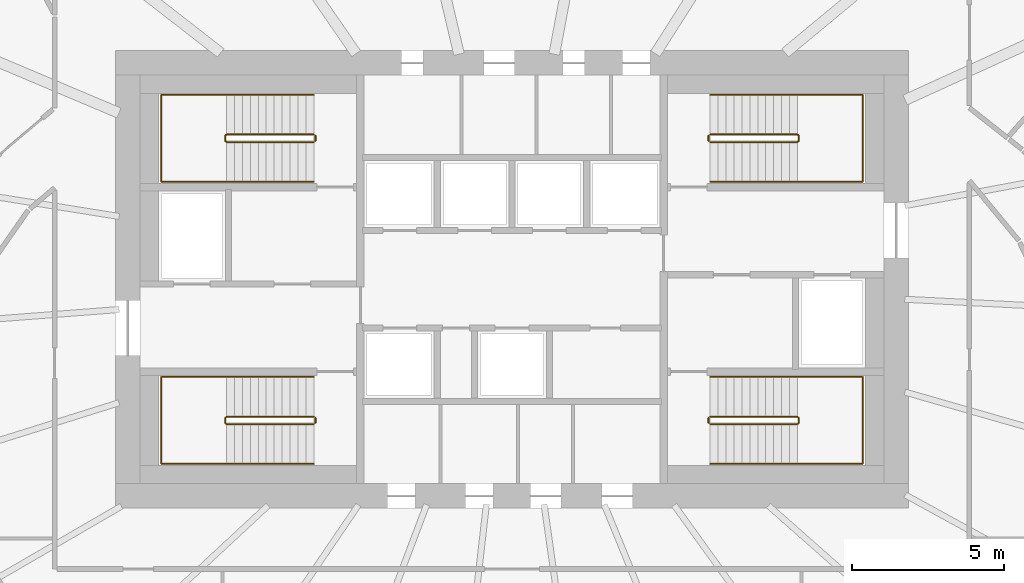
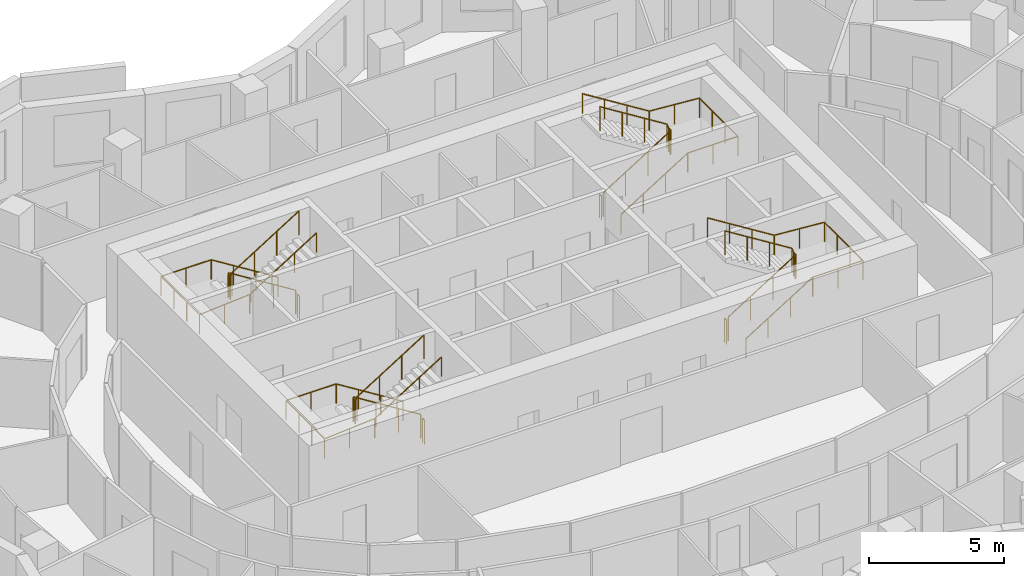
# One storey, part 11 of 11: 12 railings.
"""IFC4 building model written with IfcOpenShell, lengths in metres."""

from ifc_helpers import new_model, si_unit, direction, frame, origin, origin_2d, place, context, subcontext, project, spatial, circle, extrude, material, type_object, element, save


model = new_model("IFC4")

# Units and contexts
model_context = context("Model", 3, precision=1e-05, world=origin(), true_north=direction((0.0, 1.0)))
body_context = subcontext(model_context, "Body", "Model", "MODEL_VIEW")
ifc_project = project(units=[si_unit("LENGTHUNIT", "METRE"), si_unit("AREAUNIT", "SQUARE_METRE"), si_unit("VOLUMEUNIT", "CUBIC_METRE"), si_unit("PLANEANGLEUNIT", "RADIAN"), si_unit("MASSUNIT", "GRAM", prefix="KILO")], contexts=[model_context])

# Site, building, storey
site_placement = place(None, origin())
site = spatial("IfcSite", under=ifc_project, at=site_placement, CompositionType="ELEMENT")
building_placement = place(site_placement, origin())
building = spatial("IfcBuilding", under=site, at=building_placement, Name="Rubra Terraces Tower", CompositionType="ELEMENT")
storey_placement = place(building_placement, frame((0.0, 0.0, 181.800048828125)))
storey = spatial("IfcBuildingStorey", under=building, at=storey_placement, Name="L44", CompositionType="ELEMENT", Elevation=181.800048828125)

# Railings
ifc_material = material(Name="Stainless steel", Category="steel")
railing_type_1 = type_object("IfcRailingType", Name="Core stair guard 1100", PredefinedType="GUARDRAIL", material=ifc_material)
railing_1_placement = place(storey_placement, frame((-6.5, 0.0, 0.162353515625)))
element("IfcRailing", 1, at=railing_1_placement, inside=storey, type_object=railing_type_1, Name="L44 stair S1 guard 1", PredefinedType="GUARDRAIL", context=body_context, shape_type="SweptSolid", body=[
    extrude(circle(Radius=0.02392578125, at=origin_2d()), frame((0.0, 0.0, 1.076171875), z_axis=(-0.847994237388, 0.0, 0.530005446535), x_axis=(0.0, -1.0, 0.0)), (0.0, 0.0, 1.0), 3.372802734375),
    extrude(circle(Radius=0.02392578125, at=origin_2d()), frame((-2.860107421875, 0.0, 2.86376953125), z_axis=(-0.705375805398, -0.708833529934, 0.0), x_axis=(0.708833529934, -0.705375805398, 0.0)), (0.0, 0.0, 1.0), 0.070556640625),
    extrude(circle(Radius=0.02392578125, at=origin_2d()), frame((-2.909912109375, -0.050048828125, 2.86376953125), z_axis=(0.0, -1.0, 0.0), x_axis=(1.0, 0.0, 0.0)), (0.0, 0.0, 1.0), 0.14990234375),
    extrude(circle(Radius=0.02392578125, at=origin_2d()), frame((-2.909912109375, -0.199951171875, 2.86376953125), z_axis=(0.280959487676, -0.282336740067, 0.917250092119), x_axis=(0.708833529934, 0.705375805398, 0.0)), (0.0, 0.0, 1.0), 0.17724609375),
    extrude(circle(Radius=0.02392578125, at=origin_2d()), frame((-2.860107421875, -0.25, 3.0263671875), z_axis=(0.848026770018, 0.0, 0.529953391661), x_axis=(0.0, 1.0, 0.0)), (0.0, 0.0, 1.0), 3.37255859375),
    extrude(circle(Radius=0.02099609375, at=origin_2d()), origin(), (0.0, 0.0, 1.0), 1.052001953125),
    extrude(circle(Radius=0.02099609375, at=origin_2d()), frame((-0.953369140625, 0.0, 0.595947265625)), (0.0, 0.0, 1.0), 1.052001953125),
    extrude(circle(Radius=0.02099609375, at=origin_2d()), frame((-1.90673828125, 0.0, 1.191650390625)), (0.0, 0.0, 1.0), 1.052001953125),
    extrude(circle(Radius=0.02099609375, at=origin_2d()), frame((-2.860107421875, 0.0, 1.78759765625)), (0.0, 0.0, 1.0), 1.052001953125),
    extrude(circle(Radius=0.02099609375, at=origin_2d()), frame((-2.909912109375, -0.050048828125, 1.78759765625)), (0.0, 0.0, 1.0), 1.052001953125),
    extrude(circle(Radius=0.02099609375, at=origin_2d()), frame((-2.909912109375, -0.199951171875, 1.78759765625)), (0.0, 0.0, 1.0), 1.052001953125),
    extrude(circle(Radius=0.02099609375, at=origin_2d()), frame((-2.860107421875, -0.25, 1.9501953125)), (0.0, 0.0, 1.0), 1.052001953125),
    extrude(circle(Radius=0.02099609375, at=origin_2d()), frame((-1.90673828125, -0.25, 2.5458984375)), (0.0, 0.0, 1.0), 1.052001953125),
    extrude(circle(Radius=0.02099609375, at=origin_2d()), frame((-0.953369140625, -0.25, 3.141845703125)), (0.0, 0.0, 1.0), 1.052001953125),
    extrude(circle(Radius=0.02099609375, at=origin_2d()), frame((0.0, -0.25, 3.737548828125)), (0.0, 0.0, 1.0), 1.052001953125),
])
railing_2_placement = place(storey_placement, frame((-6.449951171875, -0.050048828125, 0.0)))
element("IfcRailing", 2, at=railing_2_placement, inside=storey, type_object=railing_type_1, Name="L44 stair S1 guard 2", PredefinedType="GUARDRAIL", context=body_context, shape_type="SweptSolid", body=[
    extrude(circle(Radius=0.02392578125, at=origin_2d()), frame((0.0, 0.0, 1.076171875), z_axis=(0.0, -1.0, 0.0), x_axis=(1.0, 0.0, 0.0)), (0.0, 0.0, 1.0), 0.14990234375),
    extrude(circle(Radius=0.02099609375, at=origin_2d()), origin(), (0.0, 0.0, 1.0), 1.052001953125),
    extrude(circle(Radius=0.02099609375, at=origin_2d()), frame((0.0, -0.14990234375, 0.0)), (0.0, 0.0, 1.0), 1.052001953125),
])
railing_3_placement = place(storey_placement, frame((-6.5, 9.25, 0.162353515625)))
element("IfcRailing", 3, at=railing_3_placement, inside=storey, type_object=railing_type_1, Name="L44 stair S2 guard 1", PredefinedType="GUARDRAIL", context=body_context, shape_type="SweptSolid", body=[
    extrude(circle(Radius=0.02392578125, at=origin_2d()), frame((0.0, 0.0, 1.076171875), z_axis=(-0.847994237388, 0.0, 0.530005446535), x_axis=(0.0, -1.0, 0.0)), (0.0, 0.0, 1.0), 3.372802734375),
    extrude(circle(Radius=0.02392578125, at=origin_2d()), frame((-2.860107421875, 0.0, 2.86376953125), z_axis=(-0.705375805398, -0.708833529934, 0.0), x_axis=(0.708833529934, -0.705375805398, 0.0)), (0.0, 0.0, 1.0), 0.070556640625),
    extrude(circle(Radius=0.02392578125, at=origin_2d()), frame((-2.909912109375, -0.050048828125, 2.86376953125), z_axis=(0.0, -1.0, 0.0), x_axis=(1.0, 0.0, 0.0)), (0.0, 0.0, 1.0), 0.14990234375),
    extrude(circle(Radius=0.02392578125, at=origin_2d()), frame((-2.909912109375, -0.199951171875, 2.86376953125), z_axis=(0.280959487676, -0.282336740067, 0.917250092119), x_axis=(0.708833529934, 0.705375805398, 0.0)), (0.0, 0.0, 1.0), 0.17724609375),
    extrude(circle(Radius=0.02392578125, at=origin_2d()), frame((-2.860107421875, -0.25, 3.0263671875), z_axis=(0.848026770018, 0.0, 0.529953391661), x_axis=(0.0, 1.0, 0.0)), (0.0, 0.0, 1.0), 3.37255859375),
    extrude(circle(Radius=0.02099609375, at=origin_2d()), origin(), (0.0, 0.0, 1.0), 1.052001953125),
    extrude(circle(Radius=0.02099609375, at=origin_2d()), frame((-0.953369140625, 0.0, 0.595947265625)), (0.0, 0.0, 1.0), 1.052001953125),
    extrude(circle(Radius=0.02099609375, at=origin_2d()), frame((-1.90673828125, 0.0, 1.191650390625)), (0.0, 0.0, 1.0), 1.052001953125),
    extrude(circle(Radius=0.02099609375, at=origin_2d()), frame((-2.860107421875, 0.0, 1.78759765625)), (0.0, 0.0, 1.0), 1.052001953125),
    extrude(circle(Radius=0.02099609375, at=origin_2d()), frame((-2.909912109375, -0.050048828125, 1.78759765625)), (0.0, 0.0, 1.0), 1.052001953125),
    extrude(circle(Radius=0.02099609375, at=origin_2d()), frame((-2.909912109375, -0.199951171875, 1.78759765625)), (0.0, 0.0, 1.0), 1.052001953125),
    extrude(circle(Radius=0.02099609375, at=origin_2d()), frame((-2.860107421875, -0.25, 1.9501953125)), (0.0, 0.0, 1.0), 1.052001953125),
    extrude(circle(Radius=0.02099609375, at=origin_2d()), frame((-1.90673828125, -0.25, 2.5458984375)), (0.0, 0.0, 1.0), 1.052001953125),
    extrude(circle(Radius=0.02099609375, at=origin_2d()), frame((-0.953369140625, -0.25, 3.141845703125)), (0.0, 0.0, 1.0), 1.052001953125),
    extrude(circle(Radius=0.02099609375, at=origin_2d()), frame((0.0, -0.25, 3.737548828125)), (0.0, 0.0, 1.0), 1.052001953125),
])
railing_4_placement = place(storey_placement, frame((-6.449951171875, 9.199951171875, 0.0)))
element("IfcRailing", 4, at=railing_4_placement, inside=storey, type_object=railing_type_1, Name="L44 stair S2 guard 2", PredefinedType="GUARDRAIL", context=body_context, shape_type="SweptSolid", body=[
    extrude(circle(Radius=0.02392578125, at=origin_2d()), frame((0.0, 0.0, 1.076171875), z_axis=(0.0, -1.0, 0.0), x_axis=(1.0, 0.0, 0.0)), (0.0, 0.0, 1.0), 0.14990234375),
    extrude(circle(Radius=0.02099609375, at=origin_2d()), origin(), (0.0, 0.0, 1.0), 1.052001953125),
    extrude(circle(Radius=0.02099609375, at=origin_2d()), frame((0.0, -0.14990234375, 0.0)), (0.0, 0.0, 1.0), 1.052001953125),
])
railing_5_placement = place(storey_placement, frame((6.5, 9.0, 0.162353515625)))
element("IfcRailing", 5, at=railing_5_placement, inside=storey, type_object=railing_type_1, Name="L44 stair S3 guard 1", PredefinedType="GUARDRAIL", context=body_context, shape_type="SweptSolid", body=[
    extrude(circle(Radius=0.02392578125, at=origin_2d()), frame((0.0, 0.0, 1.076171875), z_axis=(0.847994237388, 0.0, 0.530005446535), x_axis=(0.0, 1.0, 0.0)), (0.0, 0.0, 1.0), 3.372802734375),
    extrude(circle(Radius=0.02392578125, at=origin_2d()), frame((2.860107421875, 0.0, 2.86376953125), z_axis=(0.705375805398, 0.708833529934, 0.0), x_axis=(-0.708833529934, 0.705375805398, 0.0)), (0.0, 0.0, 1.0), 0.070556640625),
    extrude(circle(Radius=0.02392578125, at=origin_2d()), frame((2.909912109375, 0.050048828125, 2.86376953125), z_axis=(0.0, 1.0, 0.0), x_axis=(-1.0, 0.0, 0.0)), (0.0, 0.0, 1.0), 0.14990234375),
    extrude(circle(Radius=0.02392578125, at=origin_2d()), frame((2.909912109375, 0.199951171875, 2.86376953125), z_axis=(-0.280959487676, 0.282336740067, 0.917250092119), x_axis=(-0.708833529934, -0.705375805398, 0.0)), (0.0, 0.0, 1.0), 0.17724609375),
    extrude(circle(Radius=0.02392578125, at=origin_2d()), frame((2.860107421875, 0.25, 3.0263671875), z_axis=(-0.848026770018, 0.0, 0.529953391661), x_axis=(0.0, -1.0, 0.0)), (0.0, 0.0, 1.0), 3.37255859375),
    extrude(circle(Radius=0.02099609375, at=origin_2d()), origin(), (0.0, 0.0, 1.0), 1.052001953125),
    extrude(circle(Radius=0.02099609375, at=origin_2d()), frame((0.953369140625, 0.0, 0.595947265625)), (0.0, 0.0, 1.0), 1.052001953125),
    extrude(circle(Radius=0.02099609375, at=origin_2d()), frame((1.90673828125, 0.0, 1.191650390625)), (0.0, 0.0, 1.0), 1.052001953125),
    extrude(circle(Radius=0.02099609375, at=origin_2d()), frame((2.860107421875, 0.0, 1.78759765625)), (0.0, 0.0, 1.0), 1.052001953125),
    extrude(circle(Radius=0.02099609375, at=origin_2d()), frame((2.909912109375, 0.050048828125, 1.78759765625)), (0.0, 0.0, 1.0), 1.052001953125),
    extrude(circle(Radius=0.02099609375, at=origin_2d()), frame((2.909912109375, 0.199951171875, 1.78759765625)), (0.0, 0.0, 1.0), 1.052001953125),
    extrude(circle(Radius=0.02099609375, at=origin_2d()), frame((2.860107421875, 0.25, 1.9501953125)), (0.0, 0.0, 1.0), 1.052001953125),
    extrude(circle(Radius=0.02099609375, at=origin_2d()), frame((1.90673828125, 0.25, 2.5458984375)), (0.0, 0.0, 1.0), 1.052001953125),
    extrude(circle(Radius=0.02099609375, at=origin_2d()), frame((0.953369140625, 0.25, 3.141845703125)), (0.0, 0.0, 1.0), 1.052001953125),
    extrude(circle(Radius=0.02099609375, at=origin_2d()), frame((0.0, 0.25, 3.737548828125)), (0.0, 0.0, 1.0), 1.052001953125),
])
railing_6_placement = place(storey_placement, frame((6.449951171875, 9.050048828125, 0.0)))
element("IfcRailing", 6, at=railing_6_placement, inside=storey, type_object=railing_type_1, Name="L44 stair S3 guard 2", PredefinedType="GUARDRAIL", context=body_context, shape_type="SweptSolid", body=[
    extrude(circle(Radius=0.02392578125, at=origin_2d()), frame((0.0, 0.0, 1.076171875), z_axis=(0.0, 1.0, 0.0), x_axis=(-1.0, 0.0, 0.0)), (0.0, 0.0, 1.0), 0.14990234375),
    extrude(circle(Radius=0.02099609375, at=origin_2d()), origin(), (0.0, 0.0, 1.0), 1.052001953125),
    extrude(circle(Radius=0.02099609375, at=origin_2d()), frame((0.0, 0.14990234375, 0.0)), (0.0, 0.0, 1.0), 1.052001953125),
])
railing_7_placement = place(storey_placement, frame((6.5, -0.25, 0.162353515625)))
element("IfcRailing", 7, at=railing_7_placement, inside=storey, type_object=railing_type_1, Name="L44 stair S4 guard 1", PredefinedType="GUARDRAIL", context=body_context, shape_type="SweptSolid", body=[
    extrude(circle(Radius=0.02392578125, at=origin_2d()), frame((0.0, 0.0, 1.076171875), z_axis=(0.847994237388, 0.0, 0.530005446535), x_axis=(0.0, 1.0, 0.0)), (0.0, 0.0, 1.0), 3.372802734375),
    extrude(circle(Radius=0.02392578125, at=origin_2d()), frame((2.860107421875, 0.0, 2.86376953125), z_axis=(0.705375805398, 0.708833529934, 0.0), x_axis=(-0.708833529934, 0.705375805398, 0.0)), (0.0, 0.0, 1.0), 0.070556640625),
    extrude(circle(Radius=0.02392578125, at=origin_2d()), frame((2.909912109375, 0.050048828125, 2.86376953125), z_axis=(0.0, 1.0, 0.0), x_axis=(-1.0, 0.0, 0.0)), (0.0, 0.0, 1.0), 0.14990234375),
    extrude(circle(Radius=0.02392578125, at=origin_2d()), frame((2.909912109375, 0.199951171875, 2.86376953125), z_axis=(-0.280959487676, 0.282336740067, 0.917250092119), x_axis=(-0.708833529934, -0.705375805398, 0.0)), (0.0, 0.0, 1.0), 0.17724609375),
    extrude(circle(Radius=0.02392578125, at=origin_2d()), frame((2.860107421875, 0.25, 3.0263671875), z_axis=(-0.848026770018, 0.0, 0.529953391661), x_axis=(0.0, -1.0, 0.0)), (0.0, 0.0, 1.0), 3.37255859375),
    extrude(circle(Radius=0.02099609375, at=origin_2d()), origin(), (0.0, 0.0, 1.0), 1.052001953125),
    extrude(circle(Radius=0.02099609375, at=origin_2d()), frame((0.953369140625, 0.0, 0.595947265625)), (0.0, 0.0, 1.0), 1.052001953125),
    extrude(circle(Radius=0.02099609375, at=origin_2d()), frame((1.90673828125, 0.0, 1.191650390625)), (0.0, 0.0, 1.0), 1.052001953125),
    extrude(circle(Radius=0.02099609375, at=origin_2d()), frame((2.860107421875, 0.0, 1.78759765625)), (0.0, 0.0, 1.0), 1.052001953125),
    extrude(circle(Radius=0.02099609375, at=origin_2d()), frame((2.909912109375, 0.050048828125, 1.78759765625)), (0.0, 0.0, 1.0), 1.052001953125),
    extrude(circle(Radius=0.02099609375, at=origin_2d()), frame((2.909912109375, 0.199951171875, 1.78759765625)), (0.0, 0.0, 1.0), 1.052001953125),
    extrude(circle(Radius=0.02099609375, at=origin_2d()), frame((2.860107421875, 0.25, 1.9501953125)), (0.0, 0.0, 1.0), 1.052001953125),
    extrude(circle(Radius=0.02099609375, at=origin_2d()), frame((1.90673828125, 0.25, 2.5458984375)), (0.0, 0.0, 1.0), 1.052001953125),
    extrude(circle(Radius=0.02099609375, at=origin_2d()), frame((0.953369140625, 0.25, 3.141845703125)), (0.0, 0.0, 1.0), 1.052001953125),
    extrude(circle(Radius=0.02099609375, at=origin_2d()), frame((0.0, 0.25, 3.737548828125)), (0.0, 0.0, 1.0), 1.052001953125),
])
railing_8_placement = place(storey_placement, frame((6.449951171875, -0.199951171875, 0.0)))
element("IfcRailing", 8, at=railing_8_placement, inside=storey, type_object=railing_type_1, Name="L44 stair S4 guard 2", PredefinedType="GUARDRAIL", context=body_context, shape_type="SweptSolid", body=[
    extrude(circle(Radius=0.02392578125, at=origin_2d()), frame((0.0, 0.0, 1.076171875), z_axis=(0.0, 1.0, 0.0), x_axis=(-1.0, 0.0, 0.0)), (0.0, 0.0, 1.0), 0.14990234375),
    extrude(circle(Radius=0.02099609375, at=origin_2d()), origin(), (0.0, 0.0, 1.0), 1.052001953125),
    extrude(circle(Radius=0.02099609375, at=origin_2d()), frame((0.0, 0.14990234375, 0.0)), (0.0, 0.0, 1.0), 1.052001953125),
])
railing_type_2 = type_object("IfcRailingType", Name="Core stair handrail 900", PredefinedType="HANDRAIL", material=ifc_material)
railing_9_placement = place(storey_placement, frame((-6.5, 1.300048828125, 0.162353515625)))
element("IfcRailing", 9, at=railing_9_placement, inside=storey, type_object=railing_type_2, Name="L44 stair S1 handrail 1", PredefinedType="HANDRAIL", context=body_context, shape_type="SweptSolid", body=[
    extrude(circle(Radius=0.02392578125, at=origin_2d()), frame((0.0, 0.0, 0.8759765625), z_axis=(-0.847994237388, 0.0, 0.530005446535), x_axis=(0.0, -1.0, 0.0)), (0.0, 0.0, 1.0), 3.372802734375),
    extrude(circle(Radius=0.02392578125, at=origin_2d()), frame((-2.860107421875, 0.0, 2.66357421875), z_axis=(-1.0, 0.0, 0.0), x_axis=(0.0, -1.0, 0.0)), (0.0, 0.0, 1.0), 2.139892578125),
    extrude(circle(Radius=0.02392578125, at=origin_2d()), frame((-5.0, 0.0, 2.66357421875), z_axis=(0.0, -1.0, 0.0), x_axis=(1.0, 0.0, 0.0)), (0.0, 0.0, 1.0), 2.85009765625),
    extrude(circle(Radius=0.02392578125, at=origin_2d()), frame((-5.0, -2.85009765625, 2.66357421875), z_axis=(0.997125654253, 0.0, 0.075765623016), x_axis=(0.0, 1.0, 0.0)), (0.0, 0.0, 1.0), 2.14599609375),
    extrude(circle(Radius=0.02392578125, at=origin_2d()), frame((-2.860107421875, -2.85009765625, 2.826171875), z_axis=(0.848026770018, 0.0, 0.529953391661), x_axis=(0.0, 1.0, 0.0)), (0.0, 0.0, 1.0), 3.37255859375),
    extrude(circle(Radius=0.02099609375, at=origin_2d()), origin(), (0.0, 0.0, 1.0), 0.851806640625),
    extrude(circle(Radius=0.02099609375, at=origin_2d()), frame((-0.953369140625, 0.0, 0.595947265625)), (0.0, 0.0, 1.0), 0.851806640625),
    extrude(circle(Radius=0.02099609375, at=origin_2d()), frame((-1.90673828125, 0.0, 1.191650390625)), (0.0, 0.0, 1.0), 0.851806640625),
    extrude(circle(Radius=0.02099609375, at=origin_2d()), frame((-2.860107421875, 0.0, 1.78759765625)), (0.0, 0.0, 1.0), 0.851806640625),
    extrude(circle(Radius=0.02099609375, at=origin_2d()), frame((-3.93017578125, 0.0, 1.78759765625)), (0.0, 0.0, 1.0), 0.851806640625),
    extrude(circle(Radius=0.02099609375, at=origin_2d()), frame((-5.0, 0.0, 1.78759765625)), (0.0, 0.0, 1.0), 0.851806640625),
    extrude(circle(Radius=0.02099609375, at=origin_2d()), frame((-5.0, -0.949951171875, 1.78759765625)), (0.0, 0.0, 1.0), 0.851806640625),
    extrude(circle(Radius=0.02099609375, at=origin_2d()), frame((-5.0, -1.900146484375, 1.78759765625)), (0.0, 0.0, 1.0), 0.851806640625),
    extrude(circle(Radius=0.02099609375, at=origin_2d()), frame((-5.0, -2.85009765625, 1.78759765625)), (0.0, 0.0, 1.0), 0.851806640625),
    extrude(circle(Radius=0.02099609375, at=origin_2d()), frame((-3.93017578125, -2.85009765625, 1.868896484375)), (0.0, 0.0, 1.0), 0.851806640625),
    extrude(circle(Radius=0.02099609375, at=origin_2d()), frame((-2.860107421875, -2.85009765625, 1.9501953125)), (0.0, 0.0, 1.0), 0.851806640625),
    extrude(circle(Radius=0.02099609375, at=origin_2d()), frame((-1.90673828125, -2.85009765625, 2.5458984375)), (0.0, 0.0, 1.0), 0.851806640625),
    extrude(circle(Radius=0.02099609375, at=origin_2d()), frame((-0.953369140625, -2.85009765625, 3.141845703125)), (0.0, 0.0, 1.0), 0.851806640625),
    extrude(circle(Radius=0.02099609375, at=origin_2d()), frame((0.0, -2.85009765625, 3.737548828125)), (0.0, 0.0, 1.0), 0.851806640625),
])
railing_10_placement = place(storey_placement, frame((-6.5, 10.550048828125, 0.162353515625)))
element("IfcRailing", 10, at=railing_10_placement, inside=storey, type_object=railing_type_2, Name="L44 stair S2 handrail 1", PredefinedType="HANDRAIL", context=body_context, shape_type="SweptSolid", body=[
    extrude(circle(Radius=0.02392578125, at=origin_2d()), frame((0.0, 0.0, 0.8759765625), z_axis=(-0.847994237388, 0.0, 0.530005446535), x_axis=(0.0, -1.0, 0.0)), (0.0, 0.0, 1.0), 3.372802734375),
    extrude(circle(Radius=0.02392578125, at=origin_2d()), frame((-2.860107421875, 0.0, 2.66357421875), z_axis=(-1.0, 0.0, 0.0), x_axis=(0.0, -1.0, 0.0)), (0.0, 0.0, 1.0), 2.139892578125),
    extrude(circle(Radius=0.02392578125, at=origin_2d()), frame((-5.0, 0.0, 2.66357421875), z_axis=(0.0, -1.0, 0.0), x_axis=(1.0, 0.0, 0.0)), (0.0, 0.0, 1.0), 2.85009765625),
    extrude(circle(Radius=0.02392578125, at=origin_2d()), frame((-5.0, -2.85009765625, 2.66357421875), z_axis=(0.997125654253, 0.0, 0.075765623016), x_axis=(0.0, 1.0, 0.0)), (0.0, 0.0, 1.0), 2.14599609375),
    extrude(circle(Radius=0.02392578125, at=origin_2d()), frame((-2.860107421875, -2.85009765625, 2.826171875), z_axis=(0.848026770018, 0.0, 0.529953391661), x_axis=(0.0, 1.0, 0.0)), (0.0, 0.0, 1.0), 3.37255859375),
    extrude(circle(Radius=0.02099609375, at=origin_2d()), origin(), (0.0, 0.0, 1.0), 0.851806640625),
    extrude(circle(Radius=0.02099609375, at=origin_2d()), frame((-0.953369140625, 0.0, 0.595947265625)), (0.0, 0.0, 1.0), 0.851806640625),
    extrude(circle(Radius=0.02099609375, at=origin_2d()), frame((-1.90673828125, 0.0, 1.191650390625)), (0.0, 0.0, 1.0), 0.851806640625),
    extrude(circle(Radius=0.02099609375, at=origin_2d()), frame((-2.860107421875, 0.0, 1.78759765625)), (0.0, 0.0, 1.0), 0.851806640625),
    extrude(circle(Radius=0.02099609375, at=origin_2d()), frame((-3.93017578125, 0.0, 1.78759765625)), (0.0, 0.0, 1.0), 0.851806640625),
    extrude(circle(Radius=0.02099609375, at=origin_2d()), frame((-5.0, 0.0, 1.78759765625)), (0.0, 0.0, 1.0), 0.851806640625),
    extrude(circle(Radius=0.02099609375, at=origin_2d()), frame((-5.0, -0.949951171875, 1.78759765625)), (0.0, 0.0, 1.0), 0.851806640625),
    extrude(circle(Radius=0.02099609375, at=origin_2d()), frame((-5.0, -1.900146484375, 1.78759765625)), (0.0, 0.0, 1.0), 0.851806640625),
    extrude(circle(Radius=0.02099609375, at=origin_2d()), frame((-5.0, -2.85009765625, 1.78759765625)), (0.0, 0.0, 1.0), 0.851806640625),
    extrude(circle(Radius=0.02099609375, at=origin_2d()), frame((-3.93017578125, -2.85009765625, 1.868896484375)), (0.0, 0.0, 1.0), 0.851806640625),
    extrude(circle(Radius=0.02099609375, at=origin_2d()), frame((-2.860107421875, -2.85009765625, 1.9501953125)), (0.0, 0.0, 1.0), 0.851806640625),
    extrude(circle(Radius=0.02099609375, at=origin_2d()), frame((-1.90673828125, -2.85009765625, 2.5458984375)), (0.0, 0.0, 1.0), 0.851806640625),
    extrude(circle(Radius=0.02099609375, at=origin_2d()), frame((-0.953369140625, -2.85009765625, 3.141845703125)), (0.0, 0.0, 1.0), 0.851806640625),
    extrude(circle(Radius=0.02099609375, at=origin_2d()), frame((0.0, -2.85009765625, 3.737548828125)), (0.0, 0.0, 1.0), 0.851806640625),
])
railing_11_placement = place(storey_placement, frame((6.5, 7.699951171875, 0.162353515625)))
element("IfcRailing", 11, at=railing_11_placement, inside=storey, type_object=railing_type_2, Name="L44 stair S3 handrail 1", PredefinedType="HANDRAIL", context=body_context, shape_type="SweptSolid", body=[
    extrude(circle(Radius=0.02392578125, at=origin_2d()), frame((0.0, 0.0, 0.8759765625), z_axis=(0.847994237388, 0.0, 0.530005446535), x_axis=(0.0, 1.0, 0.0)), (0.0, 0.0, 1.0), 3.372802734375),
    extrude(circle(Radius=0.02392578125, at=origin_2d()), frame((2.860107421875, 0.0, 2.66357421875), z_axis=(1.0, 0.0, 0.0), x_axis=(0.0, 1.0, 0.0)), (0.0, 0.0, 1.0), 2.139892578125),
    extrude(circle(Radius=0.02392578125, at=origin_2d()), frame((5.0, 0.0, 2.66357421875), z_axis=(0.0, 1.0, 0.0), x_axis=(-1.0, 0.0, 0.0)), (0.0, 0.0, 1.0), 2.85009765625),
    extrude(circle(Radius=0.02392578125, at=origin_2d()), frame((5.0, 2.85009765625, 2.66357421875), z_axis=(-0.997125654253, 0.0, 0.075765623016), x_axis=(0.0, -1.0, 0.0)), (0.0, 0.0, 1.0), 2.14599609375),
    extrude(circle(Radius=0.02392578125, at=origin_2d()), frame((2.860107421875, 2.85009765625, 2.826171875), z_axis=(-0.848026770018, 0.0, 0.529953391661), x_axis=(0.0, -1.0, 0.0)), (0.0, 0.0, 1.0), 3.37255859375),
    extrude(circle(Radius=0.02099609375, at=origin_2d()), origin(), (0.0, 0.0, 1.0), 0.851806640625),
    extrude(circle(Radius=0.02099609375, at=origin_2d()), frame((0.953369140625, 0.0, 0.595947265625)), (0.0, 0.0, 1.0), 0.851806640625),
    extrude(circle(Radius=0.02099609375, at=origin_2d()), frame((1.90673828125, 0.0, 1.191650390625)), (0.0, 0.0, 1.0), 0.851806640625),
    extrude(circle(Radius=0.02099609375, at=origin_2d()), frame((2.860107421875, 0.0, 1.78759765625)), (0.0, 0.0, 1.0), 0.851806640625),
    extrude(circle(Radius=0.02099609375, at=origin_2d()), frame((3.93017578125, 0.0, 1.78759765625)), (0.0, 0.0, 1.0), 0.851806640625),
    extrude(circle(Radius=0.02099609375, at=origin_2d()), frame((5.0, 0.0, 1.78759765625)), (0.0, 0.0, 1.0), 0.851806640625),
    extrude(circle(Radius=0.02099609375, at=origin_2d()), frame((5.0, 0.949951171875, 1.78759765625)), (0.0, 0.0, 1.0), 0.851806640625),
    extrude(circle(Radius=0.02099609375, at=origin_2d()), frame((5.0, 1.900146484375, 1.78759765625)), (0.0, 0.0, 1.0), 0.851806640625),
    extrude(circle(Radius=0.02099609375, at=origin_2d()), frame((5.0, 2.85009765625, 1.78759765625)), (0.0, 0.0, 1.0), 0.851806640625),
    extrude(circle(Radius=0.02099609375, at=origin_2d()), frame((3.93017578125, 2.85009765625, 1.868896484375)), (0.0, 0.0, 1.0), 0.851806640625),
    extrude(circle(Radius=0.02099609375, at=origin_2d()), frame((2.860107421875, 2.85009765625, 1.9501953125)), (0.0, 0.0, 1.0), 0.851806640625),
    extrude(circle(Radius=0.02099609375, at=origin_2d()), frame((1.90673828125, 2.85009765625, 2.5458984375)), (0.0, 0.0, 1.0), 0.851806640625),
    extrude(circle(Radius=0.02099609375, at=origin_2d()), frame((0.953369140625, 2.85009765625, 3.141845703125)), (0.0, 0.0, 1.0), 0.851806640625),
    extrude(circle(Radius=0.02099609375, at=origin_2d()), frame((0.0, 2.85009765625, 3.737548828125)), (0.0, 0.0, 1.0), 0.851806640625),
])
railing_12_placement = place(storey_placement, frame((6.5, -1.550048828125, 0.162353515625)))
element("IfcRailing", 12, at=railing_12_placement, inside=storey, type_object=railing_type_2, Name="L44 stair S4 handrail 1", PredefinedType="HANDRAIL", context=body_context, shape_type="SweptSolid", body=[
    extrude(circle(Radius=0.02392578125, at=origin_2d()), frame((0.0, 0.0, 0.8759765625), z_axis=(0.847994237388, 0.0, 0.530005446535), x_axis=(0.0, 1.0, 0.0)), (0.0, 0.0, 1.0), 3.372802734375),
    extrude(circle(Radius=0.02392578125, at=origin_2d()), frame((2.860107421875, 0.0, 2.66357421875), z_axis=(1.0, 0.0, 0.0), x_axis=(0.0, 1.0, 0.0)), (0.0, 0.0, 1.0), 2.139892578125),
    extrude(circle(Radius=0.02392578125, at=origin_2d()), frame((5.0, 0.0, 2.66357421875), z_axis=(0.0, 1.0, 0.0), x_axis=(-1.0, 0.0, 0.0)), (0.0, 0.0, 1.0), 2.85009765625),
    extrude(circle(Radius=0.02392578125, at=origin_2d()), frame((5.0, 2.85009765625, 2.66357421875), z_axis=(-0.997125654253, 0.0, 0.075765623016), x_axis=(0.0, -1.0, 0.0)), (0.0, 0.0, 1.0), 2.14599609375),
    extrude(circle(Radius=0.02392578125, at=origin_2d()), frame((2.860107421875, 2.85009765625, 2.826171875), z_axis=(-0.848026770018, 0.0, 0.529953391661), x_axis=(0.0, -1.0, 0.0)), (0.0, 0.0, 1.0), 3.37255859375),
    extrude(circle(Radius=0.02099609375, at=origin_2d()), origin(), (0.0, 0.0, 1.0), 0.851806640625),
    extrude(circle(Radius=0.02099609375, at=origin_2d()), frame((0.953369140625, 0.0, 0.595947265625)), (0.0, 0.0, 1.0), 0.851806640625),
    extrude(circle(Radius=0.02099609375, at=origin_2d()), frame((1.90673828125, 0.0, 1.191650390625)), (0.0, 0.0, 1.0), 0.851806640625),
    extrude(circle(Radius=0.02099609375, at=origin_2d()), frame((2.860107421875, 0.0, 1.78759765625)), (0.0, 0.0, 1.0), 0.851806640625),
    extrude(circle(Radius=0.02099609375, at=origin_2d()), frame((3.93017578125, 0.0, 1.78759765625)), (0.0, 0.0, 1.0), 0.851806640625),
    extrude(circle(Radius=0.02099609375, at=origin_2d()), frame((5.0, 0.0, 1.78759765625)), (0.0, 0.0, 1.0), 0.851806640625),
    extrude(circle(Radius=0.02099609375, at=origin_2d()), frame((5.0, 0.949951171875, 1.78759765625)), (0.0, 0.0, 1.0), 0.851806640625),
    extrude(circle(Radius=0.02099609375, at=origin_2d()), frame((5.0, 1.900146484375, 1.78759765625)), (0.0, 0.0, 1.0), 0.851806640625),
    extrude(circle(Radius=0.02099609375, at=origin_2d()), frame((5.0, 2.85009765625, 1.78759765625)), (0.0, 0.0, 1.0), 0.851806640625),
    extrude(circle(Radius=0.02099609375, at=origin_2d()), frame((3.93017578125, 2.85009765625, 1.868896484375)), (0.0, 0.0, 1.0), 0.851806640625),
    extrude(circle(Radius=0.02099609375, at=origin_2d()), frame((2.860107421875, 2.85009765625, 1.9501953125)), (0.0, 0.0, 1.0), 0.851806640625),
    extrude(circle(Radius=0.02099609375, at=origin_2d()), frame((1.90673828125, 2.85009765625, 2.5458984375)), (0.0, 0.0, 1.0), 0.851806640625),
    extrude(circle(Radius=0.02099609375, at=origin_2d()), frame((0.953369140625, 2.85009765625, 3.141845703125)), (0.0, 0.0, 1.0), 0.851806640625),
    extrude(circle(Radius=0.02099609375, at=origin_2d()), frame((0.0, 2.85009765625, 3.737548828125)), (0.0, 0.0, 1.0), 0.851806640625),
])

save(model, "model.ifc")
